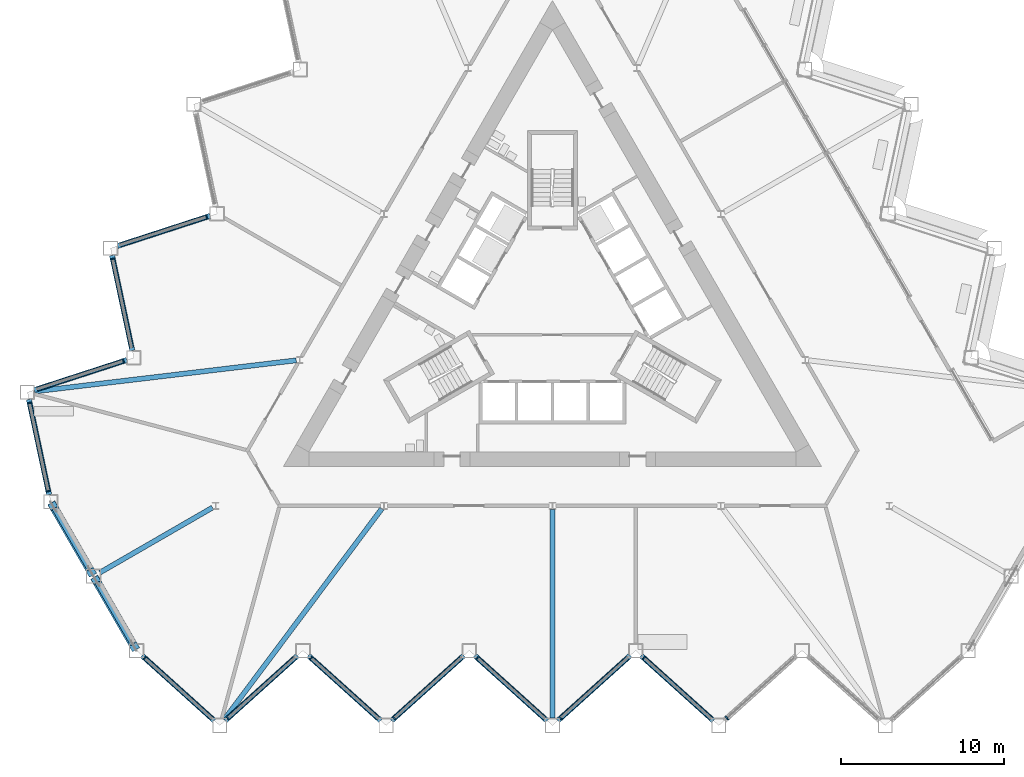
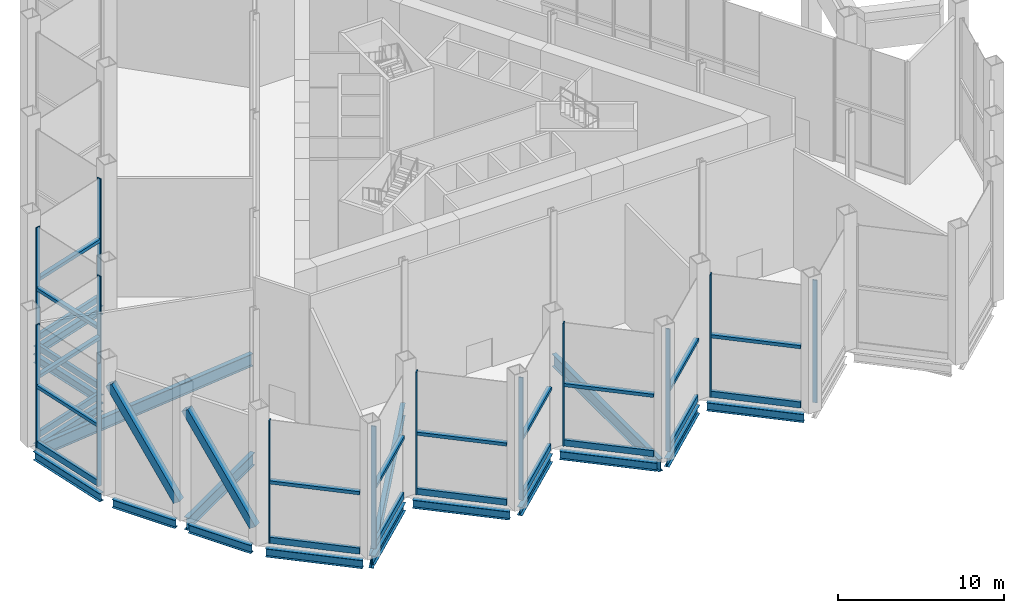
# One storey, part 3 of 18: 37 members, 17 beams, 2 elements without a shape of their own.
"""IFC4 building model written with IfcOpenShell, lengths in metres."""

from ifc_helpers import new_model, si_unit, direction, frame, origin, origin_2d, place, context, subcontext, project, spatial, rectangle, hollow_rectangle, i_section, extrude, material, layer, layer_set, material_profile, profile_set, type_object, element, aggregate, save


model = new_model("IFC4")

# Units and contexts
model_context = context("Model", 3, precision=1e-05, world=origin(), true_north=direction((0.0, 1.0)))
body_context = subcontext(model_context, "Body", "Model", "MODEL_VIEW")
ifc_project = project(units=[si_unit("LENGTHUNIT", "METRE"), si_unit("AREAUNIT", "SQUARE_METRE"), si_unit("VOLUMEUNIT", "CUBIC_METRE"), si_unit("PLANEANGLEUNIT", "RADIAN"), si_unit("MASSUNIT", "GRAM", prefix="KILO")], contexts=[model_context])

# Site, building, storey
site_placement = place(None, origin())
site = spatial("IfcSite", under=ifc_project, at=site_placement, CompositionType="ELEMENT")
building_placement = place(site_placement, origin())
building = spatial("IfcBuilding", under=site, at=building_placement, Name="Cormorant Prow Tower", CompositionType="ELEMENT")
storey_placement = place(building_placement, frame((0.0, 0.0, 154.199951171875)))
storey = spatial("IfcBuildingStorey", under=building, at=storey_placement, Name="L33", CompositionType="ELEMENT", Elevation=154.199951171875)

# Members
ifc_material_1 = material(Name="Structural steel ASTM A500 Gr C", Category="steel")
ifc_material_profile_1 = material_profile(ifc_material_1, hollow_rectangle(XDim=0.508056640625, YDim=0.508056640625, WallThickness=0.014892578125, at=origin_2d()), Name="HSS20x20x5/8")
ifc_profile_set_1 = profile_set([ifc_material_profile_1], Name="Structural steel ASTM A500 Gr C")
member_type_1 = type_object("IfcMemberType", Name="Chamfer brace HSS20x20x5/8", PredefinedType="BRACE", material=ifc_profile_set_1)
for number, where, z_axis, x_axis, name in (
    (1, (-28.274658203125, -16.000732421875, 1.01416015625), (-0.280161761905, 0.485286419808, 0.828255080224), (-0.86603968637, -0.499975261021, 0.0), "Chamfer brace BR1 at WSW00 L33"),
    (2, (-25.639892578125, -20.564453125, 1.01416015625), (-0.280161761905, 0.485286419808, 0.828255080224), (-0.86603968637, -0.499975261021, 0.0), "Chamfer brace BR1 at WSW01 L33"),
):
    element("IfcMember", number, at=place(storey_placement, frame(where, z_axis=z_axis, x_axis=x_axis)), inside=storey, type_object=member_type_1, Name=name, PredefinedType="BRACE", context=body_context, shape_type="SweptSolid", body=[
        extrude(hollow_rectangle(XDim=0.508056640625, YDim=0.508056640625, WallThickness=0.014892578125, at=origin_2d()), origin(), (0.0, 0.0, 1.0), 8.404052734375),
    ])

# Beams
ifc_material_2 = material(Name="Structural steel ASTM A992 Gr 50", Category="steel")
ifc_material_profile_2 = material_profile(ifc_material_2, i_section(OverallWidth=0.3046875, OverallDepth=0.914794921875, WebThickness=0.0166015625, FlangeThickness=0.02587890625, at=origin_2d()), Name="W36x160")
ifc_profile_set_2 = profile_set([ifc_material_profile_2], Name="Structural steel ASTM A992 Gr 50")
beam_type_1 = type_object("IfcBeamType", Name="Radial floor beam W36x160", PredefinedType="BEAM", material=ifc_profile_set_2)
beam_1_placement = place(storey_placement, frame((-15.70849609375, -3.00732421875, -0.857421875), z_axis=(-0.993009167646, -0.118037252474, 0.0), x_axis=(0.118037252474, -0.993009167646, 0.0)))
element("IfcBeam", 3, at=beam_1_placement, inside=storey, type_object=beam_type_1, Name="Radial floor beam FB1 4 L33", PredefinedType="BEAM", context=body_context, shape_type="SweptSolid", body=[
    extrude(i_section(OverallWidth=0.3046875, OverallDepth=0.914794921875, WebThickness=0.0166015625, FlangeThickness=0.02587890625, at=origin_2d()), origin(), (0.0, 0.0, 1.0), 16.15380859375),
])
beam_2_placement = place(storey_placement, frame((-20.84521484375, -12.034912109375, -0.857421875), z_axis=(-0.866018715534, -0.50001158421, 0.0), x_axis=(0.50001158421, -0.866018715534, 0.0)))
element("IfcBeam", 4, at=beam_2_placement, inside=storey, type_object=beam_type_1, Name="Radial floor beam FB1 5 L33", PredefinedType="BEAM", context=body_context, shape_type="SweptSolid", body=[
    extrude(i_section(OverallWidth=0.3046875, OverallDepth=0.914794921875, WebThickness=0.0166015625, FlangeThickness=0.02587890625, at=origin_2d()), origin(), (0.0, 0.0, 1.0), 7.967041015625),
])
beam_3_placement = place(storey_placement, frame((-10.458740234375, -12.100341796875, -0.857421875), z_axis=(-0.598722444929, -0.800956574315, 0.0), x_axis=(0.800956574315, -0.598722444929, 0.0)))
element("IfcBeam", 5, at=beam_3_placement, inside=storey, type_object=beam_type_1, Name="Radial floor beam FB1 6 L33", PredefinedType="BEAM", context=body_context, shape_type="SweptSolid", body=[
    extrude(i_section(OverallWidth=0.3046875, OverallDepth=0.914794921875, WebThickness=0.0166015625, FlangeThickness=0.02587890625, at=origin_2d()), origin(), (0.0, 0.0, 1.0), 16.15380859375),
])
beam_4_placement = place(storey_placement, frame((0.0, -12.143798828125, -0.857421875), z_axis=(0.0, -1.0, 0.0), x_axis=(1.0, 0.0, 0.0)))
element("IfcBeam", 6, at=beam_4_placement, inside=storey, type_object=beam_type_1, Name="Radial floor beam FB1 7 L33", PredefinedType="BEAM", context=body_context, shape_type="SweptSolid", body=[
    extrude(i_section(OverallWidth=0.3046875, OverallDepth=0.914794921875, WebThickness=0.0166015625, FlangeThickness=0.02587890625, at=origin_2d()), origin(), (0.0, 0.0, 1.0), 12.805419921875),
])

# Curtain wall, members
ifc_material_3 = material(Name="Aluminium 6063-T6", Category="aluminium")
ifc_layer = layer(ifc_material_3, 0.300048828125)
ifc_layer_set = layer_set([ifc_layer], Name="Aluminium 6063-T6")
curtain_wall_type = type_object("IfcCurtainWallType", Name="Sky lobby unitised curtain wall 300", PredefinedType="NOTDEFINED", material=ifc_layer_set)
curtain_wall_1_placement = place(storey_placement, origin())
curtain_wall_1 = element("IfcCurtainWall", 7, at=curtain_wall_1_placement, inside=storey, type_object=curtain_wall_type, Name="Sky lobby curtain wall S00-S09", PredefinedType="NOTDEFINED")
ifc_material_4 = material(Name="Aluminium 6063-T6", Category="aluminium")
ifc_material_profile_3 = material_profile(ifc_material_4, rectangle(XDim=0.300048828125, YDim=0.239990234375, at=origin_2d()), Name="Sky lobby intermediate transom 300x240")
ifc_profile_set_3 = profile_set([ifc_material_profile_3], Name="Aluminium 6063-T6")
member_type_2 = type_object("IfcMemberType", Name="Sky lobby intermediate transom 300x240", PredefinedType="USERDEFINED", material=ifc_profile_set_3)
member_1_placement = place(storey_placement, frame((-24.967529296875, -21.2861328125, 4.494384765625), z_axis=(0.743131110346, -0.669145838242, 0.0), x_axis=(0.669145838242, 0.743131110346, 0.0)))
member_1 = element("IfcMember", 8, at=member_1_placement, type_object=member_type_2, Name="Sky lobby intermediate transom S00-S09", ObjectType="TRANSOM", PredefinedType="USERDEFINED", context=body_context, shape_type="SweptSolid", body=[
    extrude(rectangle(XDim=0.300048828125, YDim=0.239990234375, at=origin_2d()), origin(), (0.0, 0.0, 1.0), 5.5107421875),
])
member_2_placement = place(storey_placement, frame((-19.86767578125, -24.919921875, 4.494384765625), z_axis=(0.743153140623, 0.669121371338, 0.0), x_axis=(-0.669121371338, 0.743153140623, 0.0)))
member_2 = element("IfcMember", 9, at=member_2_placement, type_object=member_type_2, Name="Sky lobby intermediate transom S00-S09", ObjectType="TRANSOM", PredefinedType="USERDEFINED", context=body_context, shape_type="SweptSolid", body=[
    extrude(rectangle(XDim=0.300048828125, YDim=0.239990234375, at=origin_2d()), origin(), (0.0, 0.0, 1.0), 5.510498046875),
])
member_3_placement = place(storey_placement, frame((-14.767822265625, -21.2861328125, 4.494384765625), z_axis=(0.743131110346, -0.669145838242, 0.0), x_axis=(0.669145838242, 0.743131110346, 0.0)))
member_3 = element("IfcMember", 10, at=member_3_placement, type_object=member_type_2, Name="Sky lobby intermediate transom S00-S09", ObjectType="TRANSOM", PredefinedType="USERDEFINED", context=body_context, shape_type="SweptSolid", body=[
    extrude(rectangle(XDim=0.300048828125, YDim=0.239990234375, at=origin_2d()), origin(), (0.0, 0.0, 1.0), 5.5107421875),
])
member_4_placement = place(storey_placement, frame((-9.667724609375, -24.919921875, 4.494384765625), z_axis=(0.743153140623, 0.669121371338, 0.0), x_axis=(-0.669121371338, 0.743153140623, 0.0)))
member_4 = element("IfcMember", 11, at=member_4_placement, type_object=member_type_2, Name="Sky lobby intermediate transom S00-S09", ObjectType="TRANSOM", PredefinedType="USERDEFINED", context=body_context, shape_type="SweptSolid", body=[
    extrude(rectangle(XDim=0.300048828125, YDim=0.239990234375, at=origin_2d()), origin(), (0.0, 0.0, 1.0), 5.510498046875),
])
member_5_placement = place(storey_placement, frame((-4.56787109375, -21.2861328125, 4.494384765625), z_axis=(0.743131110346, -0.669145838242, 0.0), x_axis=(0.669145838242, 0.743131110346, 0.0)))
member_5 = element("IfcMember", 12, at=member_5_placement, type_object=member_type_2, Name="Sky lobby intermediate transom S00-S09", ObjectType="TRANSOM", PredefinedType="USERDEFINED", context=body_context, shape_type="SweptSolid", body=[
    extrude(rectangle(XDim=0.300048828125, YDim=0.239990234375, at=origin_2d()), origin(), (0.0, 0.0, 1.0), 5.5107421875),
])
member_6_placement = place(storey_placement, frame((0.531982421875, -24.919921875, 4.494384765625), z_axis=(0.743153140623, 0.669121371338, 0.0), x_axis=(-0.669121371338, 0.743153140623, 0.0)))
member_6 = element("IfcMember", 13, at=member_6_placement, type_object=member_type_2, Name="Sky lobby intermediate transom S00-S09", ObjectType="TRANSOM", PredefinedType="USERDEFINED", context=body_context, shape_type="SweptSolid", body=[
    extrude(rectangle(XDim=0.300048828125, YDim=0.239990234375, at=origin_2d()), origin(), (0.0, 0.0, 1.0), 5.510498046875),
])
member_7_placement = place(storey_placement, frame((5.632080078125, -21.2861328125, 4.494384765625), z_axis=(0.743131110346, -0.669145838242, 0.0), x_axis=(0.669145838242, 0.743131110346, 0.0)))
member_7 = element("IfcMember", 14, at=member_7_placement, type_object=member_type_2, Name="Sky lobby intermediate transom S00-S09", ObjectType="TRANSOM", PredefinedType="USERDEFINED", context=body_context, shape_type="SweptSolid", body=[
    extrude(rectangle(XDim=0.300048828125, YDim=0.239990234375, at=origin_2d()), origin(), (0.0, 0.0, 1.0), 5.5107421875),
])

curtain_wall_2_placement = place(storey_placement, origin())
curtain_wall_2 = element("IfcCurtainWall", 15, at=curtain_wall_2_placement, inside=storey, type_object=curtain_wall_type, Name="Sky lobby curtain wall WNW00-WNW09", PredefinedType="NOTDEFINED")
member_8_placement = place(storey_placement, frame((-21.25048828125, 5.765625, 4.494384765625), z_axis=(-0.951057181883, -0.3090149459, 0.0), x_axis=(0.3090149459, -0.951057181883, 0.0)))
member_8 = element("IfcMember", 16, at=member_8_placement, type_object=member_type_2, Name="Sky lobby intermediate transom WNW00-WNW09", ObjectType="TRANSOM", PredefinedType="USERDEFINED", context=body_context, shape_type="SweptSolid", body=[
    extrude(rectangle(XDim=0.300048828125, YDim=0.239990234375, at=origin_2d()), origin(), (0.0, 0.0, 1.0), 5.5107421875),
])
member_9_placement = place(storey_placement, frame((-26.947265625, 3.165771484375, 4.494384765625), z_axis=(0.207876771673, -0.978155022376, 0.0), x_axis=(0.978155022376, 0.207876771673, 0.0)))
member_9 = element("IfcMember", 17, at=member_9_placement, type_object=member_type_2, Name="Sky lobby intermediate transom WNW00-WNW09", ObjectType="TRANSOM", PredefinedType="USERDEFINED", context=body_context, shape_type="SweptSolid", body=[
    extrude(rectangle(XDim=0.300048828125, YDim=0.239990234375, at=origin_2d()), origin(), (0.0, 0.0, 1.0), 5.510498046875),
])
member_10_placement = place(storey_placement, frame((-26.350341796875, -3.067626953125, 4.494384765625), z_axis=(-0.951057181883, -0.3090149459, 0.0), x_axis=(0.3090149459, -0.951057181883, 0.0)))
member_10 = element("IfcMember", 18, at=member_10_placement, type_object=member_type_2, Name="Sky lobby intermediate transom WNW00-WNW09", ObjectType="TRANSOM", PredefinedType="USERDEFINED", context=body_context, shape_type="SweptSolid", body=[
    extrude(rectangle(XDim=0.300048828125, YDim=0.239990234375, at=origin_2d()), origin(), (0.0, 0.0, 1.0), 5.5107421875),
])
member_11_placement = place(storey_placement, frame((-32.04736328125, -5.66748046875, 4.494384765625), z_axis=(0.207920049456, -0.978145824013, 0.0), x_axis=(0.978145824013, 0.207920049456, 0.0)))
member_11 = element("IfcMember", 19, at=member_11_placement, type_object=member_type_2, Name="Sky lobby intermediate transom WNW00-WNW09", ObjectType="TRANSOM", PredefinedType="USERDEFINED", context=body_context, shape_type="SweptSolid", body=[
    extrude(rectangle(XDim=0.300048828125, YDim=0.239990234375, at=origin_2d()), origin(), (0.0, 0.0, 1.0), 5.4306640625),
])

# Member
ifc_material_5 = material(Name="Aluminium 6063-T6", Category="aluminium")
ifc_material_profile_4 = material_profile(ifc_material_5, rectangle(XDim=0.300048828125, YDim=0.080078125, at=origin_2d()), Name="Sky lobby mullion 80x300")
ifc_profile_set_4 = profile_set([ifc_material_profile_4], Name="Aluminium 6063-T6")
member_type_3 = type_object("IfcMemberType", Name="Sky lobby mullion 80x300", PredefinedType="MULLION", material=ifc_profile_set_4)
member_12_placement = place(storey_placement, frame((-24.997314453125, -21.259521484375, 0.0), z_axis=(0.0, 0.0, 1.0), x_axis=(0.66913062239, 0.743144811043, 0.0)))
member_12 = element("IfcMember", 20, at=member_12_placement, type_object=member_type_3, Name="Sky lobby mullion S00-S09", PredefinedType="MULLION", context=body_context, shape_type="SweptSolid", body=[
    extrude(rectangle(XDim=0.300048828125, YDim=0.080078125, at=origin_2d()), origin(), (0.0, 0.0, 1.0), 8.989013671875),
])

member_13_placement = place(storey_placement, frame((-19.8974609375, -24.94677734375, 0.0), z_axis=(0.0, 0.0, 1.0), x_axis=(-0.66913062239, 0.743144811043, 0.0)))
member_13 = element("IfcMember", 21, at=member_13_placement, type_object=member_type_3, Name="Sky lobby mullion S00-S09", PredefinedType="MULLION", context=body_context, shape_type="SweptSolid", body=[
    extrude(rectangle(XDim=0.300048828125, YDim=0.080078125, at=origin_2d()), origin(), (0.0, 0.0, 1.0), 8.989013671875),
])

member_14_placement = place(storey_placement, frame((-14.79736328125, -21.259521484375, 0.0), z_axis=(0.0, 0.0, 1.0), x_axis=(0.66913062239, 0.743144811043, 0.0)))
member_14 = element("IfcMember", 22, at=member_14_placement, type_object=member_type_3, Name="Sky lobby mullion S00-S09", PredefinedType="MULLION", context=body_context, shape_type="SweptSolid", body=[
    extrude(rectangle(XDim=0.300048828125, YDim=0.080078125, at=origin_2d()), origin(), (0.0, 0.0, 1.0), 8.989013671875),
])

member_15_placement = place(storey_placement, frame((-9.697509765625, -24.94677734375, 0.0), z_axis=(0.0, 0.0, 1.0), x_axis=(-0.66913062239, 0.743144811043, 0.0)))
member_15 = element("IfcMember", 23, at=member_15_placement, type_object=member_type_3, Name="Sky lobby mullion S00-S09", PredefinedType="MULLION", context=body_context, shape_type="SweptSolid", body=[
    extrude(rectangle(XDim=0.300048828125, YDim=0.080078125, at=origin_2d()), origin(), (0.0, 0.0, 1.0), 8.989013671875),
])

member_16_placement = place(storey_placement, frame((-4.59765625, -21.259521484375, 0.0), z_axis=(0.0, 0.0, 1.0), x_axis=(0.66913062239, 0.743144811043, 0.0)))
member_16 = element("IfcMember", 24, at=member_16_placement, type_object=member_type_3, Name="Sky lobby mullion S00-S09", PredefinedType="MULLION", context=body_context, shape_type="SweptSolid", body=[
    extrude(rectangle(XDim=0.300048828125, YDim=0.080078125, at=origin_2d()), origin(), (0.0, 0.0, 1.0), 8.989013671875),
])

member_17_placement = place(storey_placement, frame((0.50244140625, -24.94677734375, 0.0), z_axis=(0.0, 0.0, 1.0), x_axis=(-0.66913062239, 0.743144811043, 0.0)))
member_17 = element("IfcMember", 25, at=member_17_placement, type_object=member_type_3, Name="Sky lobby mullion S00-S09", PredefinedType="MULLION", context=body_context, shape_type="SweptSolid", body=[
    extrude(rectangle(XDim=0.300048828125, YDim=0.080078125, at=origin_2d()), origin(), (0.0, 0.0, 1.0), 8.989013671875),
])

member_18_placement = place(storey_placement, frame((5.602294921875, -21.259521484375, 0.0), z_axis=(0.0, 0.0, 1.0), x_axis=(0.66913062239, 0.743144811043, 0.0)))
member_18 = element("IfcMember", 26, at=member_18_placement, type_object=member_type_3, Name="Sky lobby mullion S00-S09", PredefinedType="MULLION", context=body_context, shape_type="SweptSolid", body=[
    extrude(rectangle(XDim=0.300048828125, YDim=0.080078125, at=origin_2d()), origin(), (0.0, 0.0, 1.0), 8.989013671875),
])

member_19_placement = place(storey_placement, frame((10.7021484375, -24.94677734375, 0.0), z_axis=(0.0, 0.0, 1.0), x_axis=(-0.66913062239, 0.743144811043, 0.0)))
member_19 = element("IfcMember", 27, at=member_19_placement, type_object=member_type_3, Name="Sky lobby mullion S00-S09", PredefinedType="MULLION", context=body_context, shape_type="SweptSolid", body=[
    extrude(rectangle(XDim=0.300048828125, YDim=0.080078125, at=origin_2d()), origin(), (0.0, 0.0, 1.0), 8.989013671875),
])

member_20_placement = place(storey_placement, frame((-21.21240234375, 5.778076171875, 0.0), z_axis=(0.0, 0.0, 1.0), x_axis=(0.309017056787, -0.951056496016, 0.0)))
member_20 = element("IfcMember", 28, at=member_20_placement, type_object=member_type_3, Name="Sky lobby mullion WNW00-WNW09", PredefinedType="MULLION", context=body_context, shape_type="SweptSolid", body=[
    extrude(rectangle(XDim=0.300048828125, YDim=0.080078125, at=origin_2d()), origin(), (0.0, 0.0, 1.0), 8.989013671875),
])

member_21_placement = place(storey_placement, frame((-26.95556640625, 3.205078125, 0.0), z_axis=(0.0, 0.0, 1.0), x_axis=(0.97814759348, 0.207911724944, 0.0)))
member_21 = element("IfcMember", 29, at=member_21_placement, type_object=member_type_3, Name="Sky lobby mullion WNW00-WNW09", PredefinedType="MULLION", context=body_context, shape_type="SweptSolid", body=[
    extrude(rectangle(XDim=0.300048828125, YDim=0.080078125, at=origin_2d()), origin(), (0.0, 0.0, 1.0), 8.989013671875),
])

member_22_placement = place(storey_placement, frame((-26.312255859375, -3.055419921875, 0.0), z_axis=(0.0, 0.0, 1.0), x_axis=(0.309016924991, -0.951056538839, 0.0)))
member_22 = element("IfcMember", 30, at=member_22_placement, type_object=member_type_3, Name="Sky lobby mullion WNW00-WNW09", PredefinedType="MULLION", context=body_context, shape_type="SweptSolid", body=[
    extrude(rectangle(XDim=0.300048828125, YDim=0.080078125, at=origin_2d()), origin(), (0.0, 0.0, 1.0), 8.989013671875),
])

member_23_placement = place(storey_placement, frame((-32.0556640625, -5.62841796875, 0.0), z_axis=(0.0, 0.0, 1.0), x_axis=(0.978147599779, 0.207911695308, 0.0)))
member_23 = element("IfcMember", 31, at=member_23_placement, type_object=member_type_3, Name="Sky lobby mullion WNW00-WNW09", PredefinedType="MULLION", context=body_context, shape_type="SweptSolid", body=[
    extrude(rectangle(XDim=0.300048828125, YDim=0.080078125, at=origin_2d()), origin(), (0.0, 0.0, 1.0), 8.989013671875),
])

member_24_placement = place(storey_placement, frame((-30.909912109375, -11.0185546875, 0.0), z_axis=(0.0, 0.0, 1.0), x_axis=(0.978147599779, 0.207911695308, 0.0)))
member_24 = element("IfcMember", 32, at=member_24_placement, type_object=member_type_3, Name="Sky lobby mullion WNW00-WNW09", PredefinedType="MULLION", context=body_context, shape_type="SweptSolid", body=[
    extrude(rectangle(XDim=0.300048828125, YDim=0.080078125, at=origin_2d()), origin(), (0.0, 0.0, 1.0), 8.989013671875),
])

ifc_material_6 = material(Name="Terracotta", Category="masonry")
ifc_material_profile_5 = material_profile(ifc_material_6, rectangle(XDim=0.219970703125, YDim=0.449951171875, at=origin_2d()), Name="Sky lobby terracotta spandrel rail 220x450")
ifc_profile_set_5 = profile_set([ifc_material_profile_5], Name="Terracotta")
member_type_4 = type_object("IfcMemberType", Name="Sky lobby terracotta spandrel rail 220x450", PredefinedType="USERDEFINED", material=ifc_profile_set_5)
member_25_placement = place(storey_placement, frame((-24.967529296875, -21.2861328125, 0.22509765625), z_axis=(0.743131110346, -0.669145838242, 0.0), x_axis=(0.669145838242, 0.743131110346, 0.0)))
member_25 = element("IfcMember", 33, at=member_25_placement, type_object=member_type_4, Name="Sky lobby spandrel rail S00-S09", ObjectType="TRANSOM", PredefinedType="USERDEFINED", context=body_context, shape_type="SweptSolid", body=[
    extrude(rectangle(XDim=0.219970703125, YDim=0.449951171875, at=origin_2d()), origin(), (0.0, 0.0, 1.0), 5.5107421875),
])

member_26_placement = place(storey_placement, frame((-19.86767578125, -24.919921875, 0.22509765625), z_axis=(0.743153140623, 0.669121371338, 0.0), x_axis=(-0.669121371338, 0.743153140623, 0.0)))
member_26 = element("IfcMember", 34, at=member_26_placement, type_object=member_type_4, Name="Sky lobby spandrel rail S00-S09", ObjectType="TRANSOM", PredefinedType="USERDEFINED", context=body_context, shape_type="SweptSolid", body=[
    extrude(rectangle(XDim=0.219970703125, YDim=0.449951171875, at=origin_2d()), origin(), (0.0, 0.0, 1.0), 5.510498046875),
])

member_27_placement = place(storey_placement, frame((-14.767822265625, -21.2861328125, 0.22509765625), z_axis=(0.743131110346, -0.669145838242, 0.0), x_axis=(0.669145838242, 0.743131110346, 0.0)))
member_27 = element("IfcMember", 35, at=member_27_placement, type_object=member_type_4, Name="Sky lobby spandrel rail S00-S09", ObjectType="TRANSOM", PredefinedType="USERDEFINED", context=body_context, shape_type="SweptSolid", body=[
    extrude(rectangle(XDim=0.219970703125, YDim=0.449951171875, at=origin_2d()), origin(), (0.0, 0.0, 1.0), 5.5107421875),
])

member_28_placement = place(storey_placement, frame((-9.667724609375, -24.919921875, 0.22509765625), z_axis=(0.743153140623, 0.669121371338, 0.0), x_axis=(-0.669121371338, 0.743153140623, 0.0)))
member_28 = element("IfcMember", 36, at=member_28_placement, type_object=member_type_4, Name="Sky lobby spandrel rail S00-S09", ObjectType="TRANSOM", PredefinedType="USERDEFINED", context=body_context, shape_type="SweptSolid", body=[
    extrude(rectangle(XDim=0.219970703125, YDim=0.449951171875, at=origin_2d()), origin(), (0.0, 0.0, 1.0), 5.510498046875),
])

member_29_placement = place(storey_placement, frame((-4.56787109375, -21.2861328125, 0.22509765625), z_axis=(0.743131110346, -0.669145838242, 0.0), x_axis=(0.669145838242, 0.743131110346, 0.0)))
member_29 = element("IfcMember", 37, at=member_29_placement, type_object=member_type_4, Name="Sky lobby spandrel rail S00-S09", ObjectType="TRANSOM", PredefinedType="USERDEFINED", context=body_context, shape_type="SweptSolid", body=[
    extrude(rectangle(XDim=0.219970703125, YDim=0.449951171875, at=origin_2d()), origin(), (0.0, 0.0, 1.0), 5.5107421875),
])

member_30_placement = place(storey_placement, frame((0.531982421875, -24.919921875, 0.22509765625), z_axis=(0.743153140623, 0.669121371338, 0.0), x_axis=(-0.669121371338, 0.743153140623, 0.0)))
member_30 = element("IfcMember", 38, at=member_30_placement, type_object=member_type_4, Name="Sky lobby spandrel rail S00-S09", ObjectType="TRANSOM", PredefinedType="USERDEFINED", context=body_context, shape_type="SweptSolid", body=[
    extrude(rectangle(XDim=0.219970703125, YDim=0.449951171875, at=origin_2d()), origin(), (0.0, 0.0, 1.0), 5.510498046875),
])

member_31_placement = place(storey_placement, frame((5.632080078125, -21.2861328125, 0.22509765625), z_axis=(0.743131110346, -0.669145838242, 0.0), x_axis=(0.669145838242, 0.743131110346, 0.0)))
member_31 = element("IfcMember", 39, at=member_31_placement, type_object=member_type_4, Name="Sky lobby spandrel rail S00-S09", ObjectType="TRANSOM", PredefinedType="USERDEFINED", context=body_context, shape_type="SweptSolid", body=[
    extrude(rectangle(XDim=0.219970703125, YDim=0.449951171875, at=origin_2d()), origin(), (0.0, 0.0, 1.0), 5.5107421875),
])

aggregate(curtain_wall_1, [member_12, member_25, member_1, member_13, member_26, member_2, member_14, member_27, member_3, member_15, member_28, member_4, member_16, member_29, member_5, member_17, member_30, member_6, member_18, member_31, member_7, member_19])

member_32_placement = place(storey_placement, frame((-21.25048828125, 5.765625, 0.22509765625), z_axis=(-0.951057181883, -0.3090149459, 0.0), x_axis=(0.3090149459, -0.951057181883, 0.0)))
member_32 = element("IfcMember", 40, at=member_32_placement, type_object=member_type_4, Name="Sky lobby spandrel rail WNW00-WNW09", ObjectType="TRANSOM", PredefinedType="USERDEFINED", context=body_context, shape_type="SweptSolid", body=[
    extrude(rectangle(XDim=0.219970703125, YDim=0.449951171875, at=origin_2d()), origin(), (0.0, 0.0, 1.0), 5.5107421875),
])

member_33_placement = place(storey_placement, frame((-26.947265625, 3.165771484375, 0.22509765625), z_axis=(0.207876771673, -0.978155022376, 0.0), x_axis=(0.978155022376, 0.207876771673, 0.0)))
member_33 = element("IfcMember", 41, at=member_33_placement, type_object=member_type_4, Name="Sky lobby spandrel rail WNW00-WNW09", ObjectType="TRANSOM", PredefinedType="USERDEFINED", context=body_context, shape_type="SweptSolid", body=[
    extrude(rectangle(XDim=0.219970703125, YDim=0.449951171875, at=origin_2d()), origin(), (0.0, 0.0, 1.0), 5.510498046875),
])

member_34_placement = place(storey_placement, frame((-26.350341796875, -3.067626953125, 0.22509765625), z_axis=(-0.951057181883, -0.3090149459, 0.0), x_axis=(0.3090149459, -0.951057181883, 0.0)))
member_34 = element("IfcMember", 42, at=member_34_placement, type_object=member_type_4, Name="Sky lobby spandrel rail WNW00-WNW09", ObjectType="TRANSOM", PredefinedType="USERDEFINED", context=body_context, shape_type="SweptSolid", body=[
    extrude(rectangle(XDim=0.219970703125, YDim=0.449951171875, at=origin_2d()), origin(), (0.0, 0.0, 1.0), 5.5107421875),
])

member_35_placement = place(storey_placement, frame((-32.04736328125, -5.66748046875, 0.22509765625), z_axis=(0.207920049456, -0.978145824013, 0.0), x_axis=(0.978145824013, 0.207920049456, 0.0)))
member_35 = element("IfcMember", 43, at=member_35_placement, type_object=member_type_4, Name="Sky lobby spandrel rail WNW00-WNW09", ObjectType="TRANSOM", PredefinedType="USERDEFINED", context=body_context, shape_type="SweptSolid", body=[
    extrude(rectangle(XDim=0.219970703125, YDim=0.449951171875, at=origin_2d()), origin(), (0.0, 0.0, 1.0), 5.4306640625),
])

aggregate(curtain_wall_2, [member_20, member_32, member_8, member_21, member_33, member_9, member_22, member_34, member_10, member_23, member_24, member_35, member_11])

# Beams
ifc_material_7 = material(Name="Structural steel ASTM A992 Gr 50", Category="steel")
ifc_material_profile_6 = material_profile(ifc_material_7, i_section(OverallWidth=0.32373046875, OverallDepth=0.611083984375, WebThickness=0.0126953125, FlangeThickness=0.01904296875, at=origin_2d()), Name="W24x104")
ifc_profile_set_6 = profile_set([ifc_material_profile_6], Name="Structural steel ASTM A992 Gr 50")
beam_type_2 = type_object("IfcBeamType", Name="Spandrel beam W24x104", PredefinedType="SPANDREL", material=ifc_profile_set_6)
for number, where, z_axis, x_axis, name in (
    (44, (-25.165283203125, -21.108154296875, -0.70556640625), (0.743131253571, -0.66914567918, 0.0), (0.66914567918, 0.743131253571, 0.0), "Spandrel beam SB1 S00-S01 L33"),
    (45, (-20.0654296875, -25.09814453125, -0.70556640625), (0.743131253571, 0.66914567918, 0.0), (-0.66914567918, 0.743131253571, 0.0), "Spandrel beam SB1 S01-S02 L33"),
    (46, (-14.96533203125, -21.108154296875, -0.70556640625), (0.743131253571, -0.66914567918, 0.0), (0.66914567918, 0.743131253571, 0.0), "Spandrel beam SB1 S02-S03 L33"),
    (47, (-9.865478515625, -25.09814453125, -0.70556640625), (0.743131253571, 0.66914567918, 0.0), (-0.66914567918, 0.743131253571, 0.0), "Spandrel beam SB1 S03-S04 L33"),
    (48, (-4.765625, -21.108154296875, -0.70556640625), (0.743131253571, -0.66914567918, 0.0), (0.66914567918, 0.743131253571, 0.0), "Spandrel beam SB1 S04-S05 L33"),
    (49, (0.33447265625, -25.09814453125, -0.70556640625), (0.743131253571, 0.66914567918, 0.0), (-0.66914567918, 0.743131253571, 0.0), "Spandrel beam SB1 S05-S06 L33"),
    (50, (5.434326171875, -21.108154296875, -0.70556640625), (0.743131253571, -0.66914567918, 0.0), (0.66914567918, 0.743131253571, 0.0), "Spandrel beam SB1 S06-S07 L33"),
):
    element("IfcBeam", number, at=place(storey_placement, frame(where, z_axis=z_axis, x_axis=x_axis)), inside=storey, type_object=beam_type_2, Name=name, PredefinedType="SPANDREL", context=body_context, shape_type="SweptSolid", body=[
        extrude(i_section(OverallWidth=0.32373046875, OverallDepth=0.611083984375, WebThickness=0.0126953125, FlangeThickness=0.01904296875, at=origin_2d()), origin(), (0.0, 0.0, 1.0), 5.962890625),
    ])
beam_5_placement = place(storey_placement, frame((-20.99755859375, 5.847900390625, -0.70556640625), z_axis=(-0.951055430656, -0.309020335608, 0.0), x_axis=(0.309020335608, -0.951055430656, 0.0)))
element("IfcBeam", 51, at=beam_5_placement, inside=storey, type_object=beam_type_2, Name="Spandrel beam SB1 WNW06-WNW07 L33", PredefinedType="SPANDREL", context=body_context, shape_type="SweptSolid", body=[
    extrude(i_section(OverallWidth=0.32373046875, OverallDepth=0.611083984375, WebThickness=0.0126953125, FlangeThickness=0.01904296875, at=origin_2d()), origin(), (0.0, 0.0, 1.0), 5.96240234375),
])
for number, where, z_axis, x_axis, name in (
    (52, (-27.002685546875, 3.426025390625, -0.70556640625), (0.207920947907, -0.978145633033, 0.0), (0.978145633033, 0.207920947907, 0.0), "Spandrel beam SB1 WNW07-WNW08 L33"),
    (53, (-26.097412109375, -2.985595703125, -0.70556640625), (-0.951059340519, -0.309008302174, 0.0), (0.309008302174, -0.951059340519, 0.0), "Spandrel beam SB1 WNW08-WNW09 L33"),
):
    element("IfcBeam", number, at=place(storey_placement, frame(where, z_axis=z_axis, x_axis=x_axis)), inside=storey, type_object=beam_type_2, Name=name, PredefinedType="SPANDREL", context=body_context, shape_type="SweptSolid", body=[
        extrude(i_section(OverallWidth=0.32373046875, OverallDepth=0.611083984375, WebThickness=0.0126953125, FlangeThickness=0.01904296875, at=origin_2d()), origin(), (0.0, 0.0, 1.0), 5.962646484375),
    ])
beam_6_placement = place(storey_placement, frame((-32.1025390625, -5.4072265625, -0.70556640625), z_axis=(0.207912620873, -0.978147403044, 0.0), x_axis=(0.978147403044, 0.207912620873, 0.0)))
element("IfcBeam", 54, at=beam_6_placement, inside=storey, type_object=beam_type_2, Name="Spandrel beam SB1 WNW09-WSW00 L33", PredefinedType="SPANDREL", context=body_context, shape_type="SweptSolid", body=[
    extrude(i_section(OverallWidth=0.32373046875, OverallDepth=0.611083984375, WebThickness=0.0126953125, FlangeThickness=0.01904296875, at=origin_2d()), origin(), (0.0, 0.0, 1.0), 5.962890625),
])
for number, where, z_axis, x_axis, name in (
    (55, (-30.54443359375, -12.069580078125, -0.70556640625), (0.500002967982, -0.866023690213, 0.0), (0.866023690213, 0.500002967982, 0.0), "Spandrel beam SB1 WSW00-WSW01 L33"),
    (56, (-27.909423828125, -16.63330078125, -0.70556640625), (0.500002967982, -0.866023690213, 0.0), (0.866023690213, 0.500002967982, 0.0), "Spandrel beam SB1 WSW01-S00 L33"),
):
    element("IfcBeam", number, at=place(storey_placement, frame(where, z_axis=z_axis, x_axis=x_axis)), inside=storey, type_object=beam_type_2, Name=name, PredefinedType="SPANDREL", context=body_context, shape_type="SweptSolid", body=[
        extrude(i_section(OverallWidth=0.32373046875, OverallDepth=0.611083984375, WebThickness=0.0126953125, FlangeThickness=0.01904296875, at=origin_2d()), origin(), (0.0, 0.0, 1.0), 4.36962890625),
    ])

save(model, "model.ifc")
